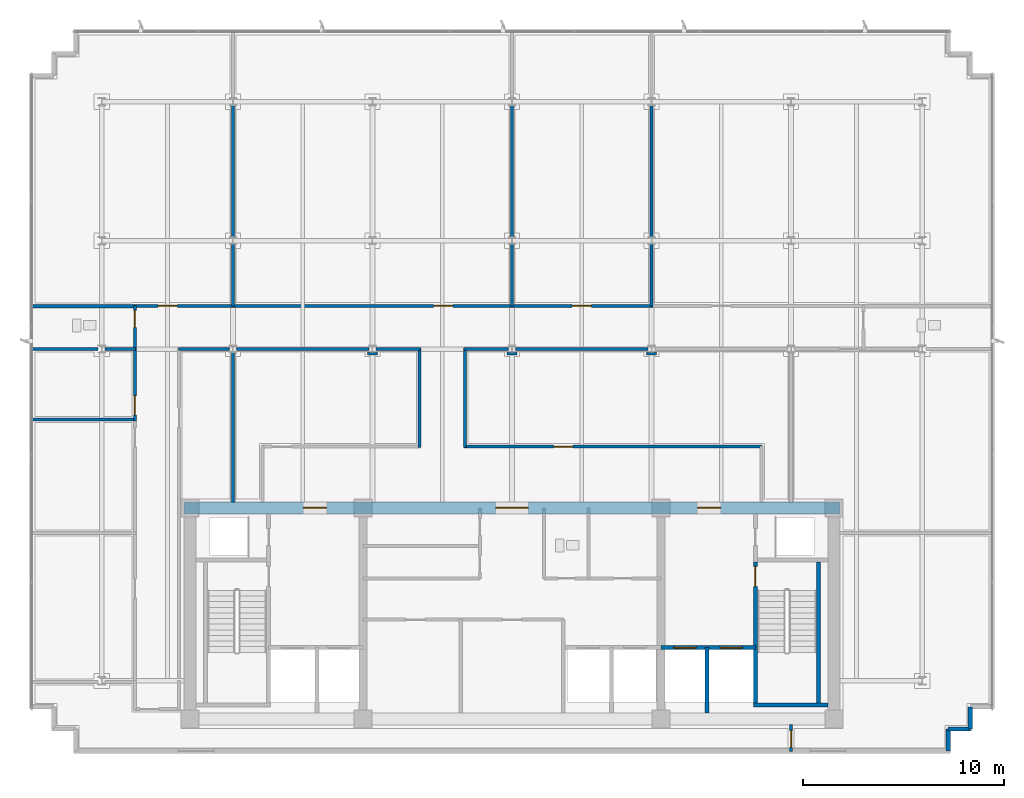
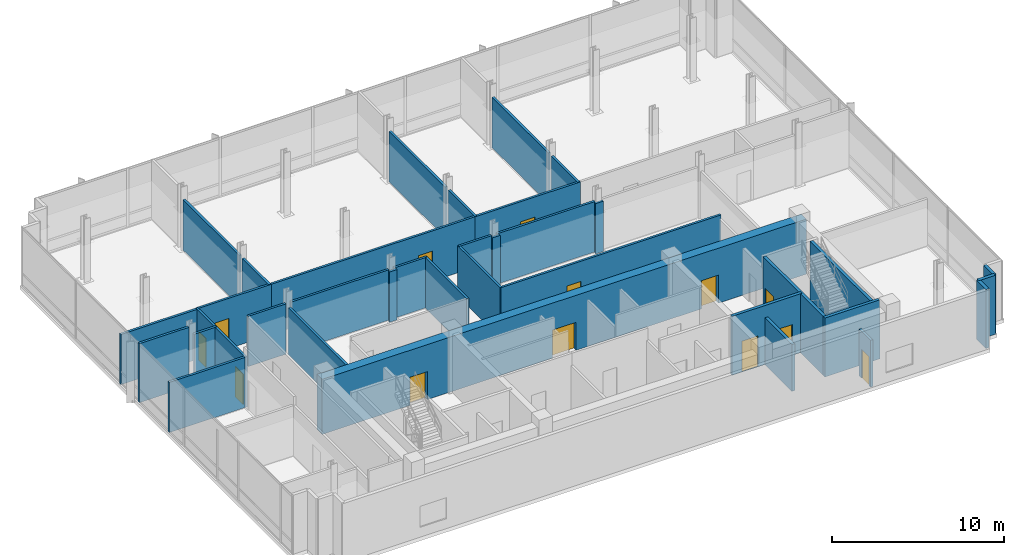
# One storey, part 11 of 17: 37 walls, 13 doors, 13 openings.
"""IFC4 building model written with IfcOpenShell, lengths in metres."""

from ifc_helpers import new_model, si_unit, direction, frame, frame_2d, origin, place, context, subcontext, project, spatial, rectangle, extrude, material, layer, layer_set, type_object, element, fill, save


model = new_model("IFC4")

# Units and contexts
model_context = context("Model", 3, precision=1e-05, world=origin(), true_north=direction((0.0, 1.0)))
body_context = subcontext(model_context, "Body", "Model", "MODEL_VIEW")
ifc_project = project(units=[si_unit("LENGTHUNIT", "METRE"), si_unit("AREAUNIT", "SQUARE_METRE"), si_unit("VOLUMEUNIT", "CUBIC_METRE"), si_unit("PLANEANGLEUNIT", "RADIAN"), si_unit("MASSUNIT", "GRAM", prefix="KILO")], contexts=[model_context])

# Site, building, storey
site_placement = place(None, origin())
site = spatial("IfcSite", under=ifc_project, at=site_placement, CompositionType="ELEMENT")
building_placement = place(site_placement, origin())
building = spatial("IfcBuilding", under=site, at=building_placement, Name="Solmavex Isthmus Hotel", CompositionType="ELEMENT")
storey_placement = place(building_placement, frame((0.0, 0.0, 286.800048828125)))
storey = spatial("IfcBuildingStorey", under=building, at=storey_placement, Name="L78", CompositionType="ELEMENT", Elevation=286.800048828125)

# Walls
ifc_material_1 = material(Name="Precast Concrete C40/50", Category="concrete")
ifc_layer_1 = layer(ifc_material_1, 0.25)
ifc_layer_set_1 = layer_set([ifc_layer_1], Name="Precast Concrete C40/50")
wall_type_1 = type_object("IfcWallType", Name="EW-TWR-250", PredefinedType="STANDARD", material=ifc_layer_set_1)
for number, where, z_axis, x_axis, name in (
    (1, (22.7900390625, -12.389892578125, 0.0), (0.0, 0.0, 1.0), (0.0, -1.0, 0.0), "Serrated Corner Facade Panel L78-17"),
    (2, (22.7900390625, -13.489990234375, 0.0), (0.0, 0.0, 1.0), (-1.0, 0.0, 0.0), "Serrated Corner Facade Panel L78-18"),
    (3, (21.68994140625, -13.489990234375, 0.0), (0.0, 0.0, 1.0), (0.0, -1.0, 0.0), "Serrated Corner Facade Panel L78-19"),
):
    element("IfcWall", number, at=place(storey_placement, frame(where, z_axis=z_axis, x_axis=x_axis)), inside=storey, type_object=wall_type_1, Name=name, PredefinedType="STANDARD", context=body_context, shape_type="SweptSolid", body=[
        extrude(rectangle(XDim=1.10009765625, YDim=0.219970703125, at=frame_2d((0.550048828125, 0.0))), origin(), (0.0, 0.0, 1.0), 4.199951171875),
    ])
ifc_material_2 = material(Name="Gypsum plasterboard lining", Category="gypsum")
ifc_layer_2 = layer(ifc_material_2, 0.159912109375)
ifc_layer_set_2 = layer_set([ifc_layer_2], Name="Gypsum plasterboard lining")
wall_type_2 = type_object("IfcWallType", Name="IW-COMP-160", PredefinedType="PARTITIONING", material=ifc_layer_set_2)
wall_1_placement = place(storey_placement, frame((-13.8720703125, 10.613037109375, 0.0), z_axis=(0.0, 0.0, 1.0), x_axis=(0.0, -1.0, 0.0)))
element("IfcWall", 4, at=wall_1_placement, inside=storey, type_object=wall_type_2, Name="Interior Partition Wall W-L78-P030", PredefinedType="PARTITIONING", context=body_context, shape_type="SweptSolid", body=[
    extrude(rectangle(XDim=3.10302734375, YDim=0.159912109375, at=frame_2d((1.551513671875, 0.0))), origin(), (0.0, 0.0, 1.0), 3.582275390625),
])
wall_2_placement = place(storey_placement, frame((-13.8720703125, 17.52490234375, 0.0), z_axis=(0.0, 0.0, 1.0), x_axis=(0.0, -1.0, 0.0)))
element("IfcWall", 5, at=wall_2_placement, inside=storey, type_object=wall_type_2, Name="Interior Partition Wall W-L78-P031", PredefinedType="PARTITIONING", context=body_context, shape_type="SweptSolid", body=[
    extrude(rectangle(XDim=6.56201171875, YDim=0.159912109375, at=frame_2d((3.281005859375, 0.0))), origin(), (0.0, 0.0, 1.0), 3.582275390625),
])
wall_3_placement = place(storey_placement, frame((-18.7099609375, 7.530029296875, 0.0), z_axis=(0.0, 0.0, 1.0), x_axis=(-1.0, 0.0, 0.0)))
element("IfcWall", 6, at=wall_3_placement, inside=storey, type_object=wall_type_2, Name="Interior Partition Wall W-L78-P033", PredefinedType="PARTITIONING", context=body_context, shape_type="SweptSolid", body=[
    extrude(rectangle(XDim=5.2099609375, YDim=0.159912109375, at=frame_2d((2.60498046875, 0.0))), origin(), (0.0, 0.0, 1.0), 3.5673828125),
])
wall_4_placement = place(storey_placement, frame((0.0, 10.613037109375, 0.0), z_axis=(0.0, 0.0, 1.0), x_axis=(0.0, -1.0, 0.0)))
element("IfcWall", 7, at=wall_4_placement, inside=storey, type_object=wall_type_2, Name="Interior Partition Wall W-L78-P034", PredefinedType="PARTITIONING", context=body_context, shape_type="SweptSolid", body=[
    extrude(rectangle(XDim=3.10302734375, YDim=0.159912109375, at=frame_2d((1.551513671875, 0.0))), origin(), (0.0, 0.0, 1.0), 3.582275390625),
])
wall_5_placement = place(storey_placement, frame((0.0, 17.52490234375, 0.0), z_axis=(0.0, 0.0, 1.0), x_axis=(0.0, -1.0, 0.0)))
element("IfcWall", 8, at=wall_5_placement, inside=storey, type_object=wall_type_2, Name="Interior Partition Wall W-L78-P035", PredefinedType="PARTITIONING", context=body_context, shape_type="SweptSolid", body=[
    extrude(rectangle(XDim=6.56201171875, YDim=0.159912109375, at=frame_2d((3.281005859375, 0.0))), origin(), (0.0, 0.0, 1.0), 3.582275390625),
])
wall_6_placement = place(storey_placement, frame((6.93603515625, 10.613037109375, 0.0), z_axis=(0.0, 0.0, 1.0), x_axis=(0.0, -1.0, 0.0)))
element("IfcWall", 9, at=wall_6_placement, inside=storey, type_object=wall_type_2, Name="Interior Partition Wall W-L78-P037", PredefinedType="PARTITIONING", context=body_context, shape_type="SweptSolid", body=[
    extrude(rectangle(XDim=3.10302734375, YDim=0.159912109375, at=frame_2d((1.551513671875, 0.0))), origin(), (0.0, 0.0, 1.0), 3.582275390625),
])
wall_7_placement = place(storey_placement, frame((6.93603515625, 17.52490234375, 0.0), z_axis=(0.0, 0.0, 1.0), x_axis=(0.0, -1.0, 0.0)))
element("IfcWall", 10, at=wall_7_placement, inside=storey, type_object=wall_type_2, Name="Interior Partition Wall W-L78-P038", PredefinedType="PARTITIONING", context=body_context, shape_type="SweptSolid", body=[
    extrude(rectangle(XDim=6.56201171875, YDim=0.159912109375, at=frame_2d((3.281005859375, 0.0))), origin(), (0.0, 0.0, 1.0), 3.582275390625),
])
wall_8_placement = place(storey_placement, frame((-20.574951171875, 5.39990234375, 0.0), z_axis=(0.0, 0.0, 1.0), x_axis=(-1.0, 0.0, 0.0)))
element("IfcWall", 11, at=wall_8_placement, inside=storey, type_object=wall_type_2, Name="Interior Partition Wall W-L78-P041", PredefinedType="PARTITIONING", context=body_context, shape_type="SweptSolid", body=[
    extrude(rectangle(XDim=3.344970703125, YDim=0.159912109375, at=frame_2d((1.67236328125, 0.0))), origin(), (0.0, 0.0, 1.0), 4.199951171875),
])
wall_9_placement = place(storey_placement, frame((-18.7099609375, 5.39990234375, 0.0), z_axis=(0.0, 0.0, 1.0), x_axis=(-1.0, 0.0, 0.0)))
element("IfcWall", 12, at=wall_9_placement, inside=storey, type_object=wall_type_2, Name="Interior Partition Wall W-L78-P042", PredefinedType="PARTITIONING", context=body_context, shape_type="SweptSolid", body=[
    extrude(rectangle(XDim=1.51513671875, YDim=0.159912109375, at=frame_2d((0.757568359375, 0.0))), origin(), (0.0, 0.0, 1.0), 3.582275390625),
])
wall_10_placement = place(storey_placement, frame((-18.7099609375, 1.89990234375, 0.0), z_axis=(0.0, 0.0, 1.0), x_axis=(-1.0, 0.0, 0.0)))
element("IfcWall", 13, at=wall_10_placement, inside=storey, type_object=wall_type_2, Name="Interior Partition Wall W-L78-P045", PredefinedType="PARTITIONING", context=body_context, shape_type="SweptSolid", body=[
    extrude(rectangle(XDim=5.2099609375, YDim=0.159912109375, at=frame_2d((2.60498046875, 0.0))), origin(), (0.0, 0.0, 1.0), 3.5673828125),
])
wall_11_placement = place(storey_placement, frame((-13.8720703125, 5.22509765625, 0.0), z_axis=(0.0, 0.0, 1.0), x_axis=(0.0, -1.0, 0.0)))
element("IfcWall", 14, at=wall_11_placement, inside=storey, type_object=wall_type_2, Name="Interior Partition Wall W-L78-P046", PredefinedType="PARTITIONING", context=body_context, shape_type="SweptSolid", body=[
    extrude(rectangle(XDim=7.465087890625, YDim=0.159912109375, at=frame_2d((3.732421875, 0.0))), origin(), (0.0, 0.0, 1.0), 3.3349609375),
])

# Wall, opening, door
wall_12_placement = place(storey_placement, frame((13.8720703125, -13.260009765625, 0.0), z_axis=(0.0, 0.0, 1.0), x_axis=(0.0, -1.0, 0.0)))
wall_12 = element("IfcWall", 15, at=wall_12_placement, inside=storey, type_object=wall_type_2, Name="Interior Partition Wall W-L78-P050", PredefinedType="PARTITIONING", context=body_context, shape_type="SweptSolid", body=[
    extrude(rectangle(XDim=1.360107421875, YDim=0.159912109375, at=frame_2d((0.68017578125, 0.0))), origin(), (0.0, 0.0, 1.0), 3.3349609375),
])
opening_1_placement = place(wall_12_placement, frame((0.300048828125, 0.0, 0.0)))
opening_1 = element("IfcOpeningElement", 16, at=opening_1_placement, cuts=wall_12, Name="Opening ID-R085", PredefinedType="OPENING", context=body_context, shape_type="SweptSolid", body=[
    extrude(rectangle(XDim=0.85009765625, YDim=2.050048828125, at=frame_2d((0.425048828125, 1.02490234375))), frame((0.0, 0.08984375, 0.0), z_axis=(0.0, -1.0, 0.0), x_axis=(1.0, 0.0, 0.0)), (0.0, 0.0, 1.0), 0.179931640625),
])
ifc_material_3 = material(Name="Steel ASTM A500 Grade C", Category="steel")
door_type_1 = type_object("IfcDoorType", Name="IDR-FD60-0850", OperationType="NOTDEFINED", PredefinedType="DOOR", material=ifc_material_3)
door_1_placement = place(opening_1_placement, frame((0.85009765625, 0.0, 0.0), z_axis=(0.0, 0.0, 1.0), x_axis=(-1.0, 0.0, 0.0)))
door_1 = element("IfcDoor", 17, at=door_1_placement, inside=storey, type_object=door_type_1, Name="Corporate Briefing Office Door L78-13", OperationType="SINGLE_SWING_LEFT", OverallHeight=2.050048828125, OverallWidth=0.85009765625, PredefinedType="DOOR", context=body_context, shape_type="SweptSolid", body=[
    extrude(rectangle(XDim=0.85009765625, YDim=2.050048828125, at=frame_2d((0.425048828125, 1.02490234375))), frame((0.0, 0.02490234375, 0.0), z_axis=(0.0, -1.0, 0.0), x_axis=(1.0, 0.0, 0.0)), (0.0, 0.0, 1.0), 0.050048828125),
])
fill(opening_1, door_1)

ifc_layer_3 = layer(ifc_material_2, 0.14990234375)
ifc_layer_set_3 = layer_set([ifc_layer_3], Name="Gypsum plasterboard lining")
wall_type_3 = type_object("IfcWallType", Name="IW-CORR-150", PredefinedType="PARTITIONING", material=ifc_layer_set_3)
wall_13_placement = place(storey_placement, frame((-18.7900390625, 7.550048828125, 0.0), z_axis=(0.0, 0.0, 1.0), x_axis=(1.0, 0.0, 0.0)))
wall_13 = element("IfcWall", 18, at=wall_13_placement, inside=storey, type_object=wall_type_3, Name="Interior Partition Wall W-L78-P001", PredefinedType="PARTITIONING", context=body_context, shape_type="SweptSolid", body=[
    extrude(rectangle(XDim=5.0, YDim=0.14990234375, at=frame_2d((2.5, 0.0))), origin(), (0.0, 0.0, 1.0), 3.582275390625),
])
opening_2_placement = place(wall_13_placement, frame((1.198486328125, 0.0, 0.0)))
opening_2 = element("IfcOpeningElement", 19, at=opening_2_placement, cuts=wall_13, Name="Opening ID-C095", PredefinedType="OPENING", context=body_context, shape_type="SweptSolid", body=[
    extrude(rectangle(XDim=0.949951171875, YDim=2.14990234375, at=frame_2d((0.47509765625, 1.074951171875))), frame((0.0, 0.0849609375, 0.0), z_axis=(0.0, -1.0, 0.0), x_axis=(1.0, 0.0, 0.0)), (0.0, 0.0, 1.0), 0.169921875),
])
ifc_material_4 = material(Name="Hardwood timber", Category="wood")
door_type_2 = type_object("IfcDoorType", Name="IDR-FD60-0950", OperationType="NOTDEFINED", PredefinedType="DOOR", material=ifc_material_4)
door_2_placement = place(opening_2_placement, origin())
door_2 = element("IfcDoor", 20, at=door_2_placement, inside=storey, type_object=door_type_2, Name="Executive Hospitality Lounge Door L78-01", OperationType="SINGLE_SWING_LEFT", OverallHeight=2.14990234375, OverallWidth=0.949951171875, PredefinedType="DOOR", context=body_context, shape_type="SweptSolid", body=[
    extrude(rectangle(XDim=0.949951171875, YDim=2.14990234375, at=frame_2d((0.47509765625, 1.074951171875))), frame((0.0, 0.02490234375, 0.0), z_axis=(0.0, -1.0, 0.0), x_axis=(1.0, 0.0, 0.0)), (0.0, 0.0, 1.0), 0.050048828125),
])
fill(opening_2, door_2)

wall_14_placement = place(storey_placement, frame((-13.9541015625, 7.550048828125, 0.0), z_axis=(0.0, 0.0, 1.0), x_axis=(1.0, 0.0, 0.0)))
wall_14 = element("IfcWall", 21, at=wall_14_placement, inside=storey, type_object=wall_type_3, Name="Interior Partition Wall W-L78-P002", PredefinedType="PARTITIONING", context=body_context, shape_type="SweptSolid", body=[
    extrude(rectangle(XDim=14.0361328125, YDim=0.14990234375, at=frame_2d((7.01806640625, 0.0))), origin(), (0.0, 0.0, 1.0), 3.582275390625),
])
opening_3_placement = place(wall_14_placement, frame((10.059814453125, 0.0, 0.0)))
opening_3 = element("IfcOpeningElement", 22, at=opening_3_placement, cuts=wall_14, Name="Opening ID-C095", PredefinedType="OPENING", context=body_context, shape_type="SweptSolid", body=[
    extrude(rectangle(XDim=0.949951171875, YDim=2.14990234375, at=frame_2d((0.47509765625, 1.074951171875))), frame((0.0, 0.0849609375, 0.0), z_axis=(0.0, -1.0, 0.0), x_axis=(1.0, 0.0, 0.0)), (0.0, 0.0, 1.0), 0.169921875),
])
door_3_placement = place(opening_3_placement, origin())
door_3 = element("IfcDoor", 23, at=door_3_placement, inside=storey, type_object=door_type_2, Name="Corporate Briefing Office Door L78-02", OperationType="SINGLE_SWING_RIGHT", OverallHeight=2.14990234375, OverallWidth=0.949951171875, PredefinedType="DOOR", context=body_context, shape_type="SweptSolid", body=[
    extrude(rectangle(XDim=0.949951171875, YDim=2.14990234375, at=frame_2d((0.47509765625, 1.074951171875))), frame((0.0, 0.02490234375, 0.0), z_axis=(0.0, -1.0, 0.0), x_axis=(1.0, 0.0, 0.0)), (0.0, 0.0, 1.0), 0.050048828125),
])
fill(opening_3, door_3)

wall_15_placement = place(storey_placement, frame((-0.08203125, 7.550048828125, 0.0), z_axis=(0.0, 0.0, 1.0), x_axis=(1.0, 0.0, 0.0)))
wall_15 = element("IfcWall", 24, at=wall_15_placement, inside=storey, type_object=wall_type_3, Name="Interior Partition Wall W-L78-P003", PredefinedType="PARTITIONING", context=body_context, shape_type="SweptSolid", body=[
    extrude(rectangle(XDim=7.10009765625, YDim=0.14990234375, at=frame_2d((3.550048828125, 0.0))), origin(), (0.0, 0.0, 1.0), 3.582275390625),
])
opening_4_placement = place(wall_15_placement, frame((3.074951171875, 0.0, 0.0)))
opening_4 = element("IfcOpeningElement", 25, at=opening_4_placement, cuts=wall_15, Name="Opening ID-C095", PredefinedType="OPENING", context=body_context, shape_type="SweptSolid", body=[
    extrude(rectangle(XDim=0.949951171875, YDim=2.14990234375, at=frame_2d((0.47509765625, 1.074951171875))), frame((0.0, 0.0849609375, 0.0), z_axis=(0.0, -1.0, 0.0), x_axis=(1.0, 0.0, 0.0)), (0.0, 0.0, 1.0), 0.169921875),
])
door_4_placement = place(opening_4_placement, origin())
door_4 = element("IfcDoor", 26, at=door_4_placement, inside=storey, type_object=door_type_2, Name="Pacific Observation Lounge Door L78-03", OperationType="SINGLE_SWING_LEFT", OverallHeight=2.14990234375, OverallWidth=0.949951171875, PredefinedType="DOOR", context=body_context, shape_type="SweptSolid", body=[
    extrude(rectangle(XDim=0.949951171875, YDim=2.14990234375, at=frame_2d((0.47509765625, 1.074951171875))), frame((0.0, 0.02490234375, 0.0), z_axis=(0.0, -1.0, 0.0), x_axis=(1.0, 0.0, 0.0)), (0.0, 0.0, 1.0), 0.050048828125),
])
fill(opening_4, door_4)

wall_16_placement = place(storey_placement, frame((-18.75, 5.318115234375, 0.0), z_axis=(0.0, 0.0, 1.0), x_axis=(0.0, 1.0, 0.0)))
wall_16 = element("IfcWall", 27, at=wall_16_placement, inside=storey, type_object=wall_type_3, Name="Interior Partition Wall W-L78-P005", PredefinedType="PARTITIONING", context=body_context, shape_type="SweptSolid", body=[
    extrude(rectangle(XDim=2.251953125, YDim=0.14990234375, at=frame_2d((1.1259765625, 0.0))), origin(), (0.0, 0.0, 1.0), 3.582275390625),
])
opening_5_placement = place(wall_16_placement, frame((1.156982421875, 0.0, 0.0)))
opening_5 = element("IfcOpeningElement", 28, at=opening_5_placement, cuts=wall_16, Name="Opening ID-R085", PredefinedType="OPENING", context=body_context, shape_type="SweptSolid", body=[
    extrude(rectangle(XDim=0.85009765625, YDim=2.050048828125, at=frame_2d((0.425048828125, 1.02490234375))), frame((0.0, 0.0849609375, 0.0), z_axis=(0.0, -1.0, 0.0), x_axis=(1.0, 0.0, 0.0)), (0.0, 0.0, 1.0), 0.169921875),
])
door_5_placement = place(opening_5_placement, frame((0.85009765625, 0.0, 0.0), z_axis=(0.0, 0.0, 1.0), x_axis=(-1.0, 0.0, 0.0)))
door_5 = element("IfcDoor", 29, at=door_5_placement, inside=storey, type_object=door_type_1, Name="Accessible Public Restroom WC Door L78-05", OperationType="SINGLE_SWING_LEFT", OverallHeight=2.050048828125, OverallWidth=0.85009765625, PredefinedType="DOOR", context=body_context, shape_type="SweptSolid", body=[
    extrude(rectangle(XDim=0.85009765625, YDim=2.050048828125, at=frame_2d((0.425048828125, 1.02490234375))), frame((0.0, 0.02490234375, 0.0), z_axis=(0.0, -1.0, 0.0), x_axis=(1.0, 0.0, 0.0)), (0.0, 0.0, 1.0), 0.050048828125),
])
fill(opening_5, door_5)

wall_17_placement = place(storey_placement, frame((-18.75, 1.818115234375, 0.0), z_axis=(0.0, 0.0, 1.0), x_axis=(0.0, 1.0, 0.0)))
wall_17 = element("IfcWall", 30, at=wall_17_placement, inside=storey, type_object=wall_type_3, Name="Interior Partition Wall W-L78-P007", PredefinedType="PARTITIONING", context=body_context, shape_type="SweptSolid", body=[
    extrude(rectangle(XDim=3.663818359375, YDim=0.14990234375, at=frame_2d((1.83203125, 0.0))), origin(), (0.0, 0.0, 1.0), 3.582275390625),
])
opening_6_placement = place(wall_17_placement, frame((0.30322265625, 0.0, 0.0)))
opening_6 = element("IfcOpeningElement", 31, at=opening_6_placement, cuts=wall_17, Name="Opening ID-C095", PredefinedType="OPENING", context=body_context, shape_type="SweptSolid", body=[
    extrude(rectangle(XDim=0.949951171875, YDim=2.14990234375, at=frame_2d((0.47509765625, 1.074951171875))), frame((0.0, 0.0849609375, 0.0), z_axis=(0.0, -1.0, 0.0), x_axis=(1.0, 0.0, 0.0)), (0.0, 0.0, 1.0), 0.169921875),
])
door_6_placement = place(opening_6_placement, frame((0.949951171875, 0.0, 0.0), z_axis=(0.0, 0.0, 1.0), x_axis=(-1.0, 0.0, 0.0)))
door_6 = element("IfcDoor", 32, at=door_6_placement, inside=storey, type_object=door_type_2, Name="Sky Bar Kitchen Door L78-07", OperationType="SINGLE_SWING_LEFT", OverallHeight=2.14990234375, OverallWidth=0.949951171875, PredefinedType="DOOR", context=body_context, shape_type="SweptSolid", body=[
    extrude(rectangle(XDim=0.949951171875, YDim=2.14990234375, at=frame_2d((0.47509765625, 1.074951171875))), frame((0.0, 0.02490234375, 0.0), z_axis=(0.0, -1.0, 0.0), x_axis=(1.0, 0.0, 0.0)), (0.0, 0.0, 1.0), 0.050048828125),
])
fill(opening_6, door_6)

# Walls
wall_18_placement = place(storey_placement, frame((-14.047119140625, 5.39990234375, 0.0), z_axis=(0.0, 0.0, 1.0), x_axis=(-1.0, 0.0, 0.0)))
element("IfcWall", 33, at=wall_18_placement, inside=storey, type_object=wall_type_3, Name="Interior Partition Wall W-L78-P008", PredefinedType="PARTITIONING", context=body_context, shape_type="SweptSolid", body=[
    extrude(rectangle(XDim=2.54296875, YDim=0.14990234375, at=frame_2d((1.271484375, 0.0))), origin(), (0.0, 0.0, 1.0), 3.582275390625),
])
wall_19_placement = place(storey_placement, frame((-4.587890625, 0.510009765625, 0.0), z_axis=(0.0, 0.0, 1.0), x_axis=(0.0, 1.0, 0.0)))
element("IfcWall", 34, at=wall_19_placement, inside=storey, type_object=wall_type_3, Name="Interior Partition Wall W-L78-P014", PredefinedType="PARTITIONING", context=body_context, shape_type="SweptSolid", body=[
    extrude(rectangle(XDim=4.929931640625, YDim=0.14990234375, at=frame_2d((2.46484375, 0.0))), origin(), (0.0, 0.0, 1.0), 3.582275390625),
])
wall_20_placement = place(storey_placement, frame((-4.548095703125, 5.39990234375, 0.0), z_axis=(0.0, 0.0, 1.0), x_axis=(-1.0, 0.0, 0.0)))
element("IfcWall", 35, at=wall_20_placement, inside=storey, type_object=wall_type_3, Name="Interior Partition Wall W-L78-P015", PredefinedType="PARTITIONING", context=body_context, shape_type="SweptSolid", body=[
    extrude(rectangle(XDim=2.212890625, YDim=0.14990234375, at=frame_2d((1.1064453125, 0.0))), origin(), (0.0, 0.0, 1.0), 3.582275390625),
])
wall_21_placement = place(storey_placement, frame((-6.680908203125, 5.18505859375, 0.0), z_axis=(0.0, 0.0, 1.0), x_axis=(-1.0, 0.0, 0.0)))
element("IfcWall", 36, at=wall_21_placement, inside=storey, type_object=wall_type_3, Name="Interior Partition Wall W-L78-P016", PredefinedType="PARTITIONING", context=body_context, shape_type="SweptSolid", body=[
    extrude(rectangle(XDim=0.510009765625, YDim=0.14990234375, at=frame_2d((0.2548828125, 0.0))), origin(), (0.0, 0.0, 1.0), 3.582275390625),
])
wall_22_placement = place(storey_placement, frame((-7.111083984375, 5.39990234375, 0.0), z_axis=(0.0, 0.0, 1.0), x_axis=(-1.0, 0.0, 0.0)))
element("IfcWall", 37, at=wall_22_placement, inside=storey, type_object=wall_type_3, Name="Interior Partition Wall W-L78-P017", PredefinedType="PARTITIONING", context=body_context, shape_type="SweptSolid", body=[
    extrude(rectangle(XDim=6.5859375, YDim=0.14990234375, at=frame_2d((3.29296875, 0.0))), origin(), (0.0, 0.0, 1.0), 3.582275390625),
])
wall_23_placement = place(storey_placement, frame((7.19091796875, 5.18505859375, 0.0), z_axis=(0.0, 0.0, 1.0), x_axis=(-1.0, 0.0, 0.0)))
element("IfcWall", 38, at=wall_23_placement, inside=storey, type_object=wall_type_3, Name="Interior Partition Wall W-L78-P022", PredefinedType="PARTITIONING", context=body_context, shape_type="SweptSolid", body=[
    extrude(rectangle(XDim=0.510009765625, YDim=0.14990234375, at=frame_2d((0.2548828125, 0.0))), origin(), (0.0, 0.0, 1.0), 3.582275390625),
])
wall_24_placement = place(storey_placement, frame((6.760986328125, 5.39990234375, 0.0), z_axis=(0.0, 0.0, 1.0), x_axis=(-1.0, 0.0, 0.0)))
element("IfcWall", 39, at=wall_24_placement, inside=storey, type_object=wall_type_3, Name="Interior Partition Wall W-L78-P023", PredefinedType="PARTITIONING", context=body_context, shape_type="SweptSolid", body=[
    extrude(rectangle(XDim=6.5859375, YDim=0.14990234375, at=frame_2d((3.29296875, 0.0))), origin(), (0.0, 0.0, 1.0), 3.582275390625),
])
wall_25_placement = place(storey_placement, frame((0.2548828125, 5.18505859375, 0.0), z_axis=(0.0, 0.0, 1.0), x_axis=(-1.0, 0.0, 0.0)))
element("IfcWall", 40, at=wall_25_placement, inside=storey, type_object=wall_type_3, Name="Interior Partition Wall W-L78-P024", PredefinedType="PARTITIONING", context=body_context, shape_type="SweptSolid", body=[
    extrude(rectangle(XDim=0.509765625, YDim=0.14990234375, at=frame_2d((0.2548828125, 0.0))), origin(), (0.0, 0.0, 1.0), 3.582275390625),
])
wall_26_placement = place(storey_placement, frame((-0.175048828125, 5.39990234375, 0.0), z_axis=(0.0, 0.0, 1.0), x_axis=(-1.0, 0.0, 0.0)))
element("IfcWall", 41, at=wall_26_placement, inside=storey, type_object=wall_type_3, Name="Interior Partition Wall W-L78-P025", PredefinedType="PARTITIONING", context=body_context, shape_type="SweptSolid", body=[
    extrude(rectangle(XDim=2.212890625, YDim=0.14990234375, at=frame_2d((1.1064453125, 0.0))), origin(), (0.0, 0.0, 1.0), 3.582275390625),
])
wall_27_placement = place(storey_placement, frame((-2.347900390625, 5.43994140625, 0.0), z_axis=(0.0, 0.0, 1.0), x_axis=(0.0, -1.0, 0.0)))
element("IfcWall", 42, at=wall_27_placement, inside=storey, type_object=wall_type_3, Name="Interior Partition Wall W-L78-P026", PredefinedType="PARTITIONING", context=body_context, shape_type="SweptSolid", body=[
    extrude(rectangle(XDim=4.929931640625, YDim=0.14990234375, at=frame_2d((2.46484375, 0.0))), origin(), (0.0, 0.0, 1.0), 3.582275390625),
])

# Wall, opening, door
wall_28_placement = place(storey_placement, frame((-2.387939453125, 0.550048828125, 0.0), z_axis=(0.0, 0.0, 1.0), x_axis=(1.0, 0.0, 0.0)))
wall_28 = element("IfcWall", 43, at=wall_28_placement, inside=storey, type_object=wall_type_3, Name="Interior Partition Wall W-L78-P027", PredefinedType="PARTITIONING", context=body_context, shape_type="SweptSolid", body=[
    extrude(rectangle(XDim=14.827880859375, YDim=0.14990234375, at=frame_2d((7.4140625, 0.0))), origin(), (0.0, 0.0, 1.0), 3.582275390625),
])
opening_7_placement = place(wall_28_placement, frame((4.461181640625, 0.0, 0.0)))
opening_7 = element("IfcOpeningElement", 44, at=opening_7_placement, cuts=wall_28, Name="Opening ID-C095", PredefinedType="OPENING", context=body_context, shape_type="SweptSolid", body=[
    extrude(rectangle(XDim=0.949951171875, YDim=2.14990234375, at=frame_2d((0.47509765625, 1.074951171875))), frame((0.0, 0.0849609375, 0.0), z_axis=(0.0, -1.0, 0.0), x_axis=(1.0, 0.0, 0.0)), (0.0, 0.0, 1.0), 0.169921875),
])
door_7_placement = place(opening_7_placement, frame((0.949951171875, 0.0, 0.0), z_axis=(0.0, 0.0, 1.0), x_axis=(-1.0, 0.0, 0.0)))
door_7 = element("IfcDoor", 45, at=door_7_placement, inside=storey, type_object=door_type_2, Name="Catering Servery Kitchen Door L78-14", OperationType="SINGLE_SWING_RIGHT", OverallHeight=2.14990234375, OverallWidth=0.949951171875, PredefinedType="DOOR", context=body_context, shape_type="SweptSolid", body=[
    extrude(rectangle(XDim=0.949951171875, YDim=2.14990234375, at=frame_2d((0.47509765625, 1.074951171875))), frame((0.0, 0.02490234375, 0.0), z_axis=(0.0, -1.0, 0.0), x_axis=(1.0, 0.0, 0.0)), (0.0, 0.0, 1.0), 0.050048828125),
])
fill(opening_7, door_7)

# Wall, openings, doors
ifc_material_5 = material(Name="Concrete C40/50", Category="concrete")
ifc_layer_4 = layer(ifc_material_5, 0.199951171875)
ifc_layer_set_4 = layer_set([ifc_layer_4], Name="Concrete C40/50")
wall_type_4 = type_object("IfcWallType", Name="IW-SHAFT-200", PredefinedType="PARTITIONING", material=ifc_layer_set_4)
wall_29_placement = place(storey_placement, frame((7.39990234375, -9.449951171875, 0.0), z_axis=(0.0, 0.0, 1.0), x_axis=(1.0, 0.0, 0.0)))
wall_29 = element("IfcWall", 46, at=wall_29_placement, inside=storey, type_object=wall_type_4, Name="Interior Partition Wall W-L78-FFLE-S", PredefinedType="PARTITIONING", context=body_context, shape_type="SweptSolid", body=[
    extrude(rectangle(XDim=4.7001953125, YDim=0.199951171875, at=frame_2d((2.35009765625, 0.0))), origin(), (0.0, 0.0, 1.0), 4.199951171875),
])
opening_8_placement = place(wall_29_placement, frame((2.949951171875, 0.0, 0.0)))
opening_8 = element("IfcOpeningElement", 47, at=opening_8_placement, cuts=wall_29, Name="Opening LD-FF", PredefinedType="OPENING", context=body_context, shape_type="SweptSolid", body=[
    extrude(rectangle(XDim=1.10009765625, YDim=2.199951171875, at=frame_2d((0.550048828125, 1.10009765625))), frame((0.0, 0.10986328125, 0.0), z_axis=(0.0, -1.0, 0.0), x_axis=(1.0, 0.0, 0.0)), (0.0, 0.0, 1.0), 0.219970703125),
])
opening_9_placement = place(wall_29_placement, frame((0.64990234375, 0.0, 0.0)))
opening_9 = element("IfcOpeningElement", 48, at=opening_9_placement, cuts=wall_29, Name="Opening LD-SV", PredefinedType="OPENING", context=body_context, shape_type="SweptSolid", body=[
    extrude(rectangle(XDim=1.10009765625, YDim=2.199951171875, at=frame_2d((0.550048828125, 1.10009765625))), frame((0.0, 0.10986328125, 0.0), z_axis=(0.0, -1.0, 0.0), x_axis=(1.0, 0.0, 0.0)), (0.0, 0.0, 1.0), 0.219970703125),
])
ifc_material_6 = material(Name="Stainless steel 316", Category="steel")
door_type_3 = type_object("IfcDoorType", Name="LDR-FF-1100", OperationType="NOTDEFINED", PredefinedType="DOOR", material=ifc_material_6)
door_8_placement = place(opening_8_placement, origin())
door_8 = element("IfcDoor", 49, at=door_8_placement, inside=storey, type_object=door_type_3, Name="Lift Landing Door FFL-2 L78", OperationType="SLIDING_TO_LEFT", OverallHeight=2.199951171875, OverallWidth=1.10009765625, PredefinedType="DOOR", context=body_context, shape_type="SweptSolid", body=[
    extrude(rectangle(XDim=1.10009765625, YDim=2.199951171875, at=frame_2d((0.550048828125, 1.10009765625))), frame((0.0, 0.02490234375, 0.0), z_axis=(0.0, -1.0, 0.0), x_axis=(1.0, 0.0, 0.0)), (0.0, 0.0, 1.0), 0.050048828125),
])
fill(opening_8, door_8)
door_type_4 = type_object("IfcDoorType", Name="LDR-SV-1100", OperationType="NOTDEFINED", PredefinedType="DOOR", material=ifc_material_6)
door_9_placement = place(opening_9_placement, origin())
door_9 = element("IfcDoor", 50, at=door_9_placement, inside=storey, type_object=door_type_4, Name="Lift Landing Door SVL-2 L78", OperationType="SLIDING_TO_RIGHT", OverallHeight=2.199951171875, OverallWidth=1.10009765625, PredefinedType="DOOR", context=body_context, shape_type="SweptSolid", body=[
    extrude(rectangle(XDim=1.10009765625, YDim=2.199951171875, at=frame_2d((0.550048828125, 1.10009765625))), frame((0.0, 0.02490234375, 0.0), z_axis=(0.0, -1.0, 0.0), x_axis=(1.0, 0.0, 0.0)), (0.0, 0.0, 1.0), 0.050048828125),
])
fill(opening_9, door_9)

# Wall
wall_30_placement = place(storey_placement, frame((9.699951171875, -12.699951171875, 0.0), z_axis=(0.0, 0.0, 1.0), x_axis=(0.0, 1.0, 0.0)))
element("IfcWall", 51, at=wall_30_placement, inside=storey, type_object=wall_type_4, Name="Interior Partition Wall W-L78-FFLE-M", PredefinedType="PARTITIONING", context=body_context, shape_type="SweptSolid", body=[
    extrude(rectangle(XDim=3.25, YDim=0.199951171875, at=frame_2d((1.625, 0.0))), origin(), (0.0, 0.0, 1.0), 3.3349609375),
])

# Wall, openings, doors
ifc_material_7 = material(Name="Concrete C50/60", Category="concrete")
ifc_layer_5 = layer(ifc_material_7, 0.60009765625)
ifc_layer_set_5 = layer_set([ifc_layer_5], Name="Concrete C50/60")
wall_type_5 = type_object("IfcWallType", Name="WALL-CW-600", PredefinedType="SHEAR", material=ifc_layer_set_5)
wall_31_placement = place(storey_placement, frame((-16.300048828125, -2.5, 0.0), z_axis=(0.0, 0.0, 1.0), x_axis=(1.0, 0.0, 0.0)))
wall_31 = element("IfcWall", 52, at=wall_31_placement, inside=storey, type_object=wall_type_5, Name="Core Shear Wall North L78", PredefinedType="SHEAR", context=body_context, shape_type="SweptSolid", body=[
    extrude(rectangle(XDim=32.60009765625, YDim=0.60009765625, at=frame_2d((16.300048828125, 0.0))), origin(), (0.0, 0.0, 1.0), 3.919921875),
])
opening_10_placement = place(wall_31_placement, frame((5.925048828125, 0.0, 0.0)))
opening_10 = element("IfcOpeningElement", 53, at=opening_10_placement, cuts=wall_31, Name="Opening ID-F915", PredefinedType="OPENING", context=body_context, shape_type="SweptSolid", body=[
    extrude(rectangle(XDim=1.14990234375, YDim=2.0, at=frame_2d((0.574951171875, 1.0))), frame((0.0, 0.31005859375, 0.0), z_axis=(0.0, -1.0, 0.0), x_axis=(1.0, 0.0, 0.0)), (0.0, 0.0, 1.0), 0.6201171875),
])
opening_11_placement = place(wall_31_placement, frame((15.5, 0.0, 0.0)))
opening_11 = element("IfcOpeningElement", 54, at=opening_11_placement, cuts=wall_31, Name="Opening ID-F960", PredefinedType="OPENING", context=body_context, shape_type="SweptSolid", body=[
    extrude(rectangle(XDim=1.60009765625, YDim=2.0, at=frame_2d((0.800048828125, 1.0))), frame((0.0, 0.31005859375, 0.0), z_axis=(0.0, -1.0, 0.0), x_axis=(1.0, 0.0, 0.0)), (0.0, 0.0, 1.0), 0.6201171875),
])
opening_12_placement = place(wall_31_placement, frame((25.52490234375, 0.0, 0.0)))
opening_12 = element("IfcOpeningElement", 55, at=opening_12_placement, cuts=wall_31, Name="Opening ID-F915", PredefinedType="OPENING", context=body_context, shape_type="SweptSolid", body=[
    extrude(rectangle(XDim=1.14990234375, YDim=2.0, at=frame_2d((0.574951171875, 1.0))), frame((0.0, 0.31005859375, 0.0), z_axis=(0.0, -1.0, 0.0), x_axis=(1.0, 0.0, 0.0)), (0.0, 0.0, 1.0), 0.6201171875),
])
door_type_5 = type_object("IfcDoorType", Name="IDR-FD90-1150C", OperationType="NOTDEFINED", PredefinedType="DOOR", material=ifc_material_3)
door_10_placement = place(opening_10_placement, origin())
door_10 = element("IfcDoor", 56, at=door_10_placement, inside=storey, type_object=door_type_5, Name="Firefighting Lobby West Exit Door L78", OperationType="SINGLE_SWING_LEFT", OverallHeight=2.0, OverallWidth=1.14990234375, PredefinedType="DOOR", context=body_context, shape_type="SweptSolid", body=[
    extrude(rectangle(XDim=1.14990234375, YDim=2.0, at=frame_2d((0.574951171875, 1.0))), frame((0.0, 0.02490234375, 0.0), z_axis=(0.0, -1.0, 0.0), x_axis=(1.0, 0.0, 0.0)), (0.0, 0.0, 1.0), 0.050048828125),
])
fill(opening_10, door_10)
door_11_placement = place(opening_12_placement, origin())
door_11 = element("IfcDoor", 57, at=door_11_placement, inside=storey, type_object=door_type_5, Name="Firefighting Lobby East Exit Door L78", OperationType="SINGLE_SWING_RIGHT", OverallHeight=2.0, OverallWidth=1.14990234375, PredefinedType="DOOR", context=body_context, shape_type="SweptSolid", body=[
    extrude(rectangle(XDim=1.14990234375, YDim=2.0, at=frame_2d((0.574951171875, 1.0))), frame((0.0, 0.02490234375, 0.0), z_axis=(0.0, -1.0, 0.0), x_axis=(1.0, 0.0, 0.0)), (0.0, 0.0, 1.0), 0.050048828125),
])
fill(opening_12, door_11)
door_type_6 = type_object("IfcDoorType", Name="IDR-FD90-1600C", OperationType="NOTDEFINED", PredefinedType="DOOR", material=ifc_material_3)
door_12_placement = place(opening_11_placement, origin())
door_12 = element("IfcDoor", 58, at=door_12_placement, inside=storey, type_object=door_type_6, Name="Central Lift Lobby Door L78", OperationType="DOUBLE_DOOR_SINGLE_SWING", OverallHeight=2.0, OverallWidth=1.60009765625, PredefinedType="DOOR", context=body_context, shape_type="SweptSolid", body=[
    extrude(rectangle(XDim=1.60009765625, YDim=2.0, at=frame_2d((0.800048828125, 1.0))), frame((0.0, 0.02490234375, 0.0), z_axis=(0.0, -1.0, 0.0), x_axis=(1.0, 0.0, 0.0)), (0.0, 0.0, 1.0), 0.050048828125),
])
fill(opening_11, door_12)

# Wall
ifc_layer_6 = layer(ifc_material_5, 0.199951171875)
ifc_layer_set_6 = layer_set([ifc_layer_6], Name="Concrete C40/50")
wall_type_6 = type_object("IfcWallType", Name="WALL-SW-200", PredefinedType="SOLIDWALL", material=ifc_layer_set_6)
wall_32_placement = place(storey_placement, frame((12.0, -12.300048828125, 0.0), z_axis=(0.0, 0.0, 1.0), x_axis=(1.0, 0.0, 0.0)))
element("IfcWall", 59, at=wall_32_placement, inside=storey, type_object=wall_type_6, Name="Stairwell Structural Wall SW-L78-ST2-S", PredefinedType="SOLIDWALL", context=body_context, shape_type="SweptSolid", body=[
    extrude(rectangle(XDim=3.699951171875, YDim=0.199951171875, at=frame_2d((1.85009765625, 0.0))), origin(), (0.0, 0.0, 1.0), 4.199951171875),
])

# Wall, opening, door
wall_33_placement = place(storey_placement, frame((12.10009765625, -12.199951171875, 0.0), z_axis=(0.0, 0.0, 1.0), x_axis=(0.0, 1.0, 0.0)))
wall_33 = element("IfcWall", 60, at=wall_33_placement, inside=storey, type_object=wall_type_6, Name="Stairwell Structural Wall SW-L78-ST2-W", PredefinedType="SOLIDWALL", context=body_context, shape_type="SweptSolid", body=[
    extrude(rectangle(XDim=7.0, YDim=0.199951171875, at=frame_2d((3.5, 0.0))), origin(), (0.0, 0.0, 1.0), 4.199951171875),
])
opening_13_placement = place(wall_33_placement, frame((5.800048828125, 0.0, 0.0)))
opening_13 = element("IfcOpeningElement", 61, at=opening_13_placement, cuts=wall_33, Name="Opening ID-F100", PredefinedType="OPENING", context=body_context, shape_type="SweptSolid", body=[
    extrude(rectangle(XDim=1.0, YDim=2.10009765625, at=frame_2d((0.5, 1.050048828125))), frame((0.0, 0.10986328125, 0.0), z_axis=(0.0, -1.0, 0.0), x_axis=(1.0, 0.0, 0.0)), (0.0, 0.0, 1.0), 0.219970703125),
])
door_type_7 = type_object("IfcDoorType", Name="IDR-FD90-1000", OperationType="NOTDEFINED", PredefinedType="DOOR", material=ifc_material_3)
door_13_placement = place(opening_13_placement, origin())
door_13 = element("IfcDoor", 62, at=door_13_placement, inside=storey, type_object=door_type_7, Name="Stair ST-2 Fire Door L78", OperationType="SINGLE_SWING_RIGHT", OverallHeight=2.10009765625, OverallWidth=1.0, PredefinedType="DOOR", context=body_context, shape_type="SweptSolid", body=[
    extrude(rectangle(XDim=1.0, YDim=2.10009765625, at=frame_2d((0.5, 1.050048828125))), frame((0.0, 0.02490234375, 0.0), z_axis=(0.0, -1.0, 0.0), x_axis=(1.0, 0.0, 0.0)), (0.0, 0.0, 1.0), 0.050048828125),
])
fill(opening_13, door_13)

# Wall
wall_34_placement = place(storey_placement, frame((15.25, -12.199951171875, 0.0), z_axis=(0.0, 0.0, 1.0), x_axis=(0.0, 1.0, 0.0)))
element("IfcWall", 63, at=wall_34_placement, inside=storey, type_object=wall_type_6, Name="Stairwell Structural Wall SW-L78-ST2-E", PredefinedType="SOLIDWALL", context=body_context, shape_type="SweptSolid", body=[
    extrude(rectangle(XDim=7.0, YDim=0.199951171875, at=frame_2d((3.5, 0.0))), origin(), (0.0, 0.0, 1.0), 4.199951171875),
])

save(model, "model.ifc")
